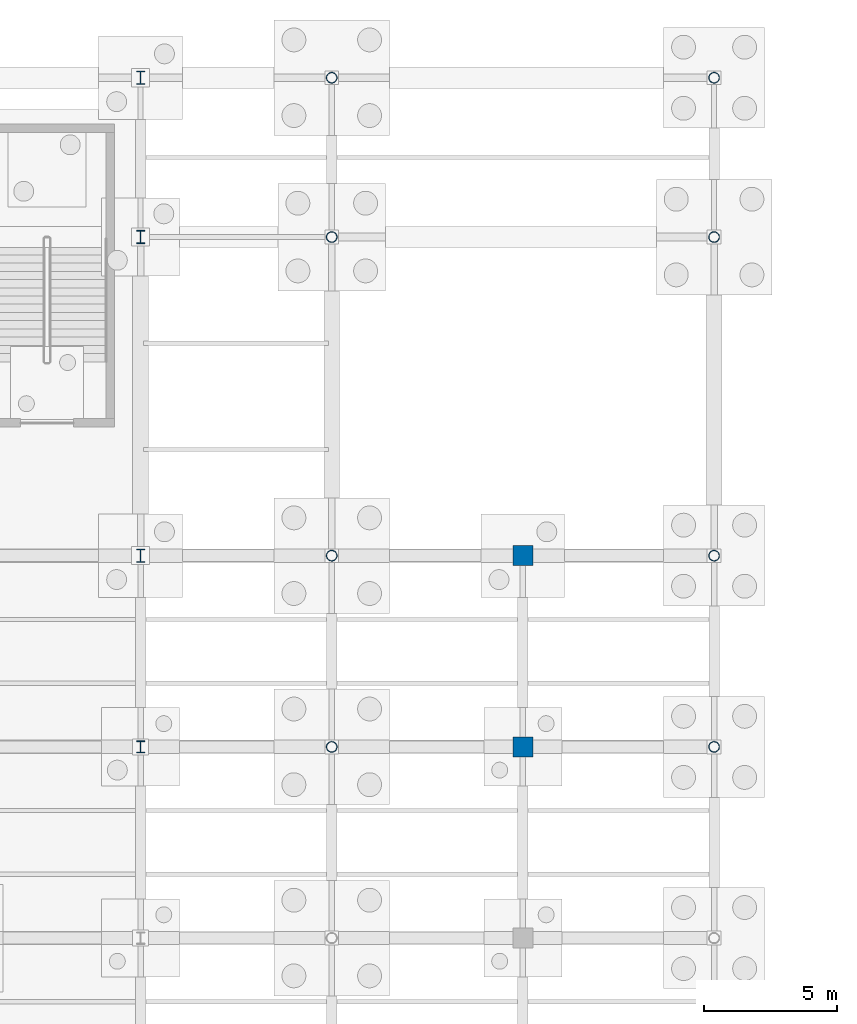
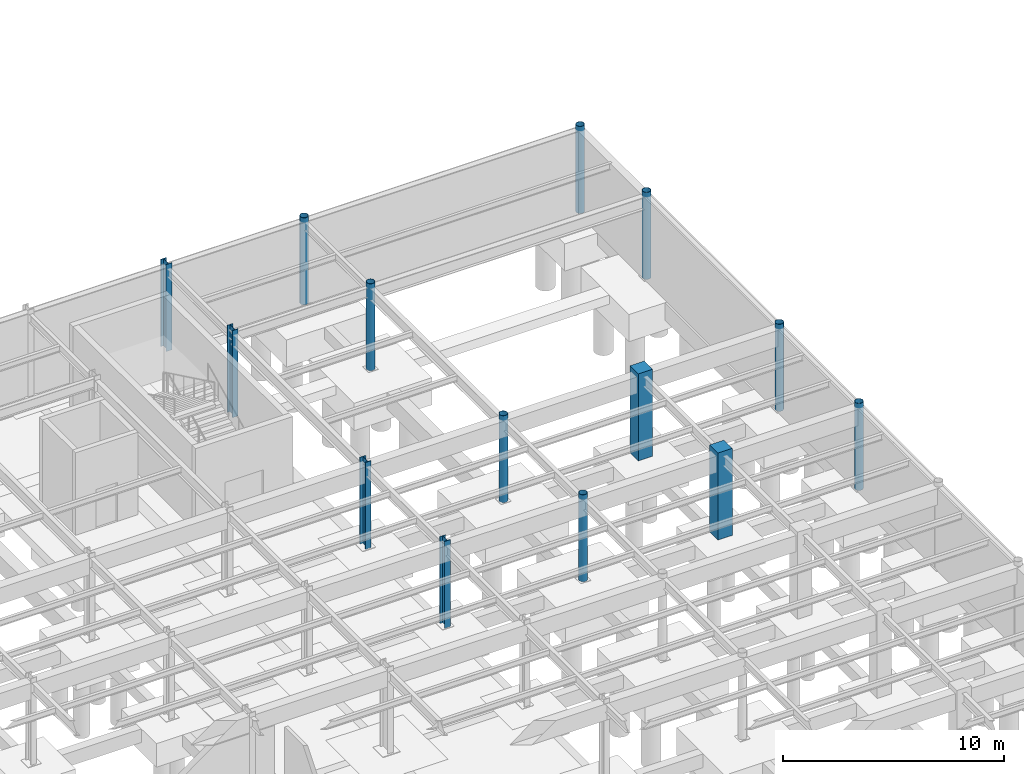
# One storey, part 29 of 64: 14 columns.
"""IFC4 building model written with IfcOpenShell, lengths in metres."""

from ifc_helpers import new_model, si_unit, direction, frame, origin, origin_2d, place, context, subcontext, project, spatial, rectangle, hollow_circle, i_section, extrude, material, material_profile, profile_set, type_object, element, save


model = new_model("IFC4")

# Units and contexts
model_context = context("Model", 3, precision=1e-05, world=origin(), true_north=direction((0.0, 1.0)))
body_context = subcontext(model_context, "Body", "Model", "MODEL_VIEW")
ifc_project = project(units=[si_unit("LENGTHUNIT", "METRE"), si_unit("AREAUNIT", "SQUARE_METRE"), si_unit("VOLUMEUNIT", "CUBIC_METRE"), si_unit("PLANEANGLEUNIT", "RADIAN"), si_unit("MASSUNIT", "GRAM", prefix="KILO")], contexts=[model_context])

# Site, building, storey
site_placement = place(None, origin())
site = spatial("IfcSite", under=ifc_project, at=site_placement, CompositionType="ELEMENT")
building_placement = place(site_placement, origin())
building = spatial("IfcBuilding", under=site, at=building_placement, Name="Solvadek Multi-Sports Hall", CompositionType="ELEMENT")
storey_placement = place(building_placement, frame((0.0, 0.0, -4.800048828125)))
storey = spatial("IfcBuildingStorey", under=building, at=storey_placement, Name="B1", CompositionType="ELEMENT", Elevation=-4.800048828125)

# Columns
ifc_material_1 = material(Name="Steel E350 (350 MPa)", Category="steel")
ifc_material_profile_1 = material_profile(ifc_material_1, hollow_circle(Radius=0.203125, WallThickness=0.01611328125, at=origin_2d()), Name="CHS 406.4x16")
ifc_profile_set_1 = profile_set([ifc_material_profile_1], Name="Steel E350 (350 MPa)")
column_type_1 = type_object("IfcColumnType", Name="STR-COL-CHS406", PredefinedType="COLUMN", material=ifc_profile_set_1)
for number, where, z_axis, x_axis, name in (
    (1, (72.0, 85.199951171875, 0.0), (0.0, 0.0, 1.0), (1.0, 0.0, 0.0), "B1 Column C-11 #156"),
    (2, (72.0, 92.39990234375, 0.0), (0.0, 0.0, 1.0), (1.0, 0.0, 0.0), "B1 Column C-11 #157"),
    (3, (72.0, 104.39990234375, 0.0), (0.0, 0.0, 1.0), (1.0, 0.0, 0.0), "B1 Column C-11 #158"),
    (4, (72.0, 110.39990234375, 0.0), (0.0, 0.0, 1.0), (1.0, 0.0, 0.0), "B1 Column C-11 #159"),
    (5, (86.39990234375, 85.199951171875, 0.0), (0.0, 0.0, 1.0), (1.0, 0.0, 0.0), "B1 Column C-11 #186"),
    (6, (86.39990234375, 92.39990234375, 0.0), (0.0, 0.0, 1.0), (1.0, 0.0, 0.0), "B1 Column C-11 #187"),
    (7, (86.39990234375, 104.39990234375, 0.0), (0.0, 0.0, 1.0), (1.0, 0.0, 0.0), "B1 Column C-11 #188"),
    (8, (86.39990234375, 110.39990234375, 0.0), (0.0, 0.0, 1.0), (1.0, 0.0, 0.0), "B1 Column C-11 #189"),
):
    element("IfcColumn", number, at=place(storey_placement, frame(where, z_axis=z_axis, x_axis=x_axis)), inside=storey, type_object=column_type_1, Name=name, PredefinedType="COLUMN", context=body_context, shape_type="SweptSolid", body=[
        extrude(hollow_circle(Radius=0.203125, WallThickness=0.01611328125, at=origin_2d()), origin(), (0.0, 0.0, 1.0), 4.800048828125),
    ])
ifc_material_2 = material(Name="Concrete M40", Category="concrete")
ifc_material_profile_2 = material_profile(ifc_material_2, rectangle(XDim=0.75, YDim=0.75, at=origin_2d()), Name="RC 750x750")
ifc_profile_set_2 = profile_set([ifc_material_profile_2], Name="Concrete M40")
column_type_2 = type_object("IfcColumnType", Name="STR-COL-RC750", PredefinedType="COLUMN", material=ifc_profile_set_2)
for number, where, z_axis, x_axis, name in (
    (9, (79.199951171875, 85.199951171875, 0.0), (0.0, 0.0, 1.0), (1.0, 0.0, 0.0), "B1 Column C-13 #172"),
    (10, (79.199951171875, 92.39990234375, 0.0), (0.0, 0.0, 1.0), (1.0, 0.0, 0.0), "B1 Column C-13 #173"),
):
    element("IfcColumn", number, at=place(storey_placement, frame(where, z_axis=z_axis, x_axis=x_axis)), inside=storey, type_object=column_type_2, Name=name, PredefinedType="COLUMN", context=body_context, shape_type="SweptSolid", body=[
        extrude(rectangle(XDim=0.75, YDim=0.75, at=origin_2d()), origin(), (0.0, 0.0, 1.0), 4.800048828125),
    ])
ifc_material_profile_3 = material_profile(ifc_material_1, i_section(OverallWidth=0.300048828125, OverallDepth=0.449951171875, WebThickness=0.013916015625, FlangeThickness=0.02587890625, at=origin_2d()), Name="WPB 450")
ifc_profile_set_3 = profile_set([ifc_material_profile_3], Name="Steel E350 (350 MPa)")
column_type_3 = type_object("IfcColumnType", Name="STR-COL-WPB450", PredefinedType="COLUMN", material=ifc_profile_set_3)
column_placement = place(storey_placement, frame((64.800048828125, 85.199951171875, 0.0), z_axis=(0.0, 0.0, 1.0), x_axis=(1.0, 0.0, 0.0)))
element("IfcColumn", 11, at=column_placement, inside=storey, type_object=column_type_3, Name="B1 Column C-06 #140", PredefinedType="COLUMN", context=body_context, shape_type="SweptSolid", body=[
    extrude(i_section(OverallWidth=0.300048828125, OverallDepth=0.449951171875, WebThickness=0.013916015625, FlangeThickness=0.02587890625, at=origin_2d()), origin(), (0.0, 0.0, 1.0), 4.800048828125),
])
ifc_material_profile_4 = material_profile(ifc_material_1, i_section(OverallWidth=0.300048828125, OverallDepth=0.5, WebThickness=0.014404296875, FlangeThickness=0.028076171875, at=origin_2d()), Name="WPB 500")
ifc_profile_set_4 = profile_set([ifc_material_profile_4], Name="Steel E350 (350 MPa)")
column_type_4 = type_object("IfcColumnType", Name="STR-COL-WPB500", PredefinedType="COLUMN", material=ifc_profile_set_4)
for number, where, z_axis, x_axis, name in (
    (12, (64.800048828125, 92.39990234375, 0.0), (0.0, 0.0, 1.0), (1.0, 0.0, 0.0), "B1 Column C-05 #141"),
    (13, (64.800048828125, 104.39990234375, 0.0), (0.0, 0.0, 1.0), (1.0, 0.0, 0.0), "B1 Column C-05 #142"),
    (14, (64.800048828125, 110.39990234375, 0.0), (0.0, 0.0, 1.0), (1.0, 0.0, 0.0), "B1 Column C-05 #143"),
):
    element("IfcColumn", number, at=place(storey_placement, frame(where, z_axis=z_axis, x_axis=x_axis)), inside=storey, type_object=column_type_4, Name=name, PredefinedType="COLUMN", context=body_context, shape_type="SweptSolid", body=[
        extrude(i_section(OverallWidth=0.300048828125, OverallDepth=0.5, WebThickness=0.014404296875, FlangeThickness=0.028076171875, at=origin_2d()), origin(), (0.0, 0.0, 1.0), 4.800048828125),
    ])

save(model, "model.ifc")
